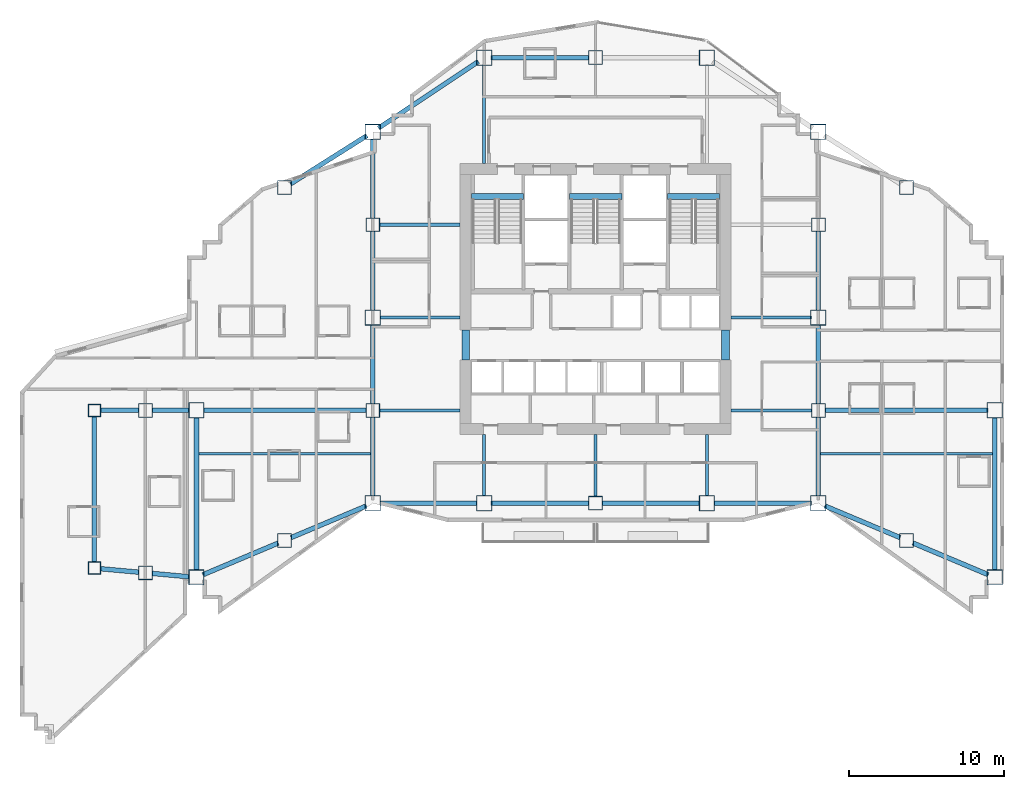
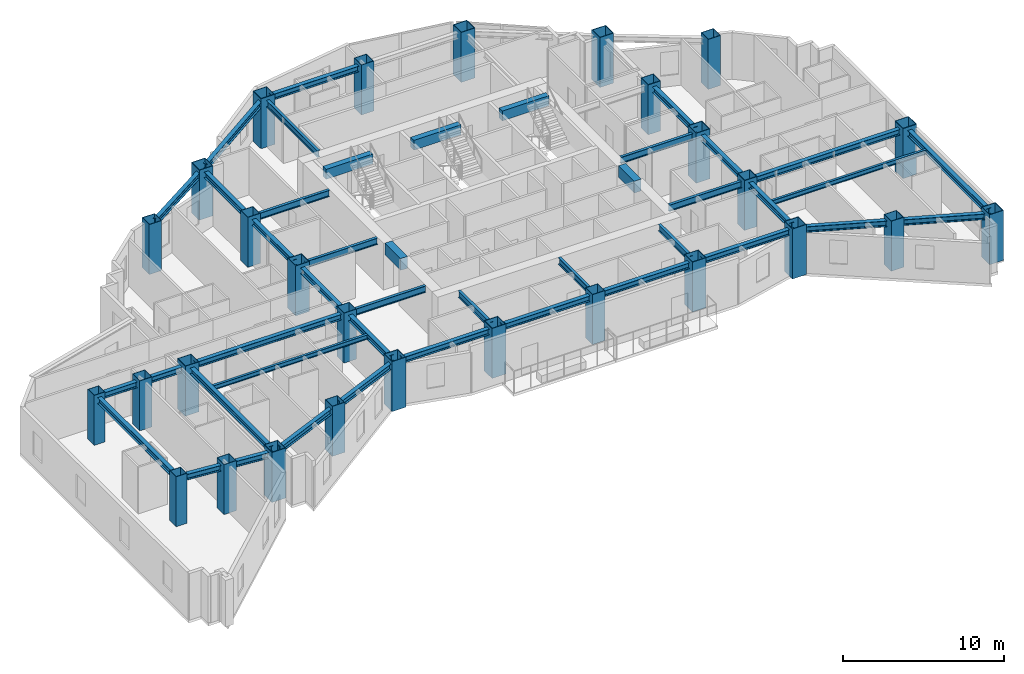
# One storey, part 1 of 15: 43 beams, 28 columns.
"""IFC4 building model written with IfcOpenShell, lengths in metres."""

from ifc_helpers import new_model, si_unit, direction, frame, origin, origin_2d, place, context, subcontext, project, spatial, rectangle, hollow_rectangle, i_section, extrude, material, material_profile, profile_set, type_object, element, save


model = new_model("IFC4")

# Units and contexts
model_context = context("Model", 3, precision=1e-05, world=origin(), true_north=direction((0.0, 1.0)))
body_context = subcontext(model_context, "Body", "Model", "MODEL_VIEW")
ifc_project = project(units=[si_unit("LENGTHUNIT", "METRE"), si_unit("AREAUNIT", "SQUARE_METRE"), si_unit("VOLUMEUNIT", "CUBIC_METRE"), si_unit("PLANEANGLEUNIT", "RADIAN"), si_unit("MASSUNIT", "GRAM", prefix="KILO")], contexts=[model_context])

# Site, building, storey
site_placement = place(None, origin())
site = spatial("IfcSite", under=ifc_project, at=site_placement, CompositionType="ELEMENT")
building_placement = place(site_placement, origin())
building = spatial("IfcBuilding", under=site, at=building_placement, Name="Haolan Belvedere Tower", CompositionType="ELEMENT")
storey_placement = place(building_placement, frame((0.0, 0.0, 156.199951171875)))
storey = spatial("IfcBuildingStorey", under=building, at=storey_placement, Name="L39", CompositionType="ELEMENT", Elevation=156.199951171875)

# Columns
ifc_material_1 = material(Name="Steel Q420GJC", Category="steel")
ifc_material_profile_1 = material_profile(ifc_material_1, hollow_rectangle(XDim=1.0, YDim=1.0, WallThickness=0.0380859375, at=origin_2d()), Name="Steel Q420GJC")
ifc_profile_set_1 = profile_set([ifc_material_profile_1], Name="Steel Q420GJC")
column_type_1 = type_object("IfcColumnType", Name="COL-BOX1000x1000x38", PredefinedType="COLUMN", material=ifc_profile_set_1)
for number, where, z_axis, x_axis, name in (
    (1, (24.0, 21.60009765625, 0.0), (0.0, 0.0, 1.0), (1.0, 0.0, 0.0), "L39 column MC-T3-SW (BOX1000x1000x38)"),
    (2, (24.0, 33.60009765625, 0.0), (0.0, 0.0, 1.0), (1.0, 0.0, 0.0), "L39 column MC-T3-MW (BOX1000x1000x38)"),
    (3, (24.0, 45.60009765625, 0.0), (0.0, 0.0, 1.0), (1.0, 0.0, 0.0), "L39 column MC-T3-NW (BOX1000x1000x38)"),
    (4, (52.800048828125, 21.60009765625, 0.0), (0.0, 0.0, 1.0), (1.0, 0.0, 0.0), "L39 column MC-T3-SE (BOX1000x1000x38)"),
    (5, (52.800048828125, 33.60009765625, 0.0), (0.0, 0.0, 1.0), (1.0, 0.0, 0.0), "L39 column MC-T3-ME (BOX1000x1000x38)"),
    (6, (52.800048828125, 45.60009765625, 0.0), (0.0, 0.0, 1.0), (1.0, 0.0, 0.0), "L39 column MC-T3-NE (BOX1000x1000x38)"),
    (7, (31.199951171875, 21.60009765625, 0.0), (0.0, 0.0, 1.0), (1.0, 0.0, 0.0), "L39 column MC-T3-S1 (BOX1000x1000x38)"),
    (8, (45.60009765625, 21.60009765625, 0.0), (0.0, 0.0, 1.0), (1.0, 0.0, 0.0), "L39 column MC-T3-S2 (BOX1000x1000x38)"),
    (9, (31.199951171875, 50.39990234375, 0.0), (0.0, 0.0, 1.0), (1.0, 0.0, 0.0), "L39 column MC-T3-N1 (BOX1000x1000x38)"),
    (10, (45.60009765625, 50.39990234375, 0.0), (0.0, 0.0, 1.0), (1.0, 0.0, 0.0), "L39 column MC-T3-N2 (BOX1000x1000x38)"),
    (11, (12.60009765625, 16.800048828125, 0.0), (0.0, 0.0, 1.0), (1.0, 0.0, 0.0), "L39 column MC-T2-SW (BOX1000x1000x38)"),
    (12, (12.60009765625, 27.60009765625, 0.0), (0.0, 0.0, 1.0), (1.0, 0.0, 0.0), "L39 column MC-T2-MW (BOX1000x1000x38)"),
    (13, (64.199951171875, 16.800048828125, 0.0), (0.0, 0.0, 1.0), (1.0, 0.0, 0.0), "L39 column MC-T4-SE (BOX1000x1000x38)"),
    (14, (64.199951171875, 27.60009765625, 0.0), (0.0, 0.0, 1.0), (1.0, 0.0, 0.0), "L39 column MC-T4-ME (BOX1000x1000x38)"),
):
    element("IfcColumn", number, at=place(storey_placement, frame(where, z_axis=z_axis, x_axis=x_axis)), inside=storey, type_object=column_type_1, Name=name, PredefinedType="COLUMN", context=body_context, shape_type="SweptSolid", body=[
        extrude(hollow_rectangle(XDim=1.0, YDim=1.0, WallThickness=0.0380859375, at=origin_2d()), origin(), (0.0, 0.0, 1.0), 3.800048828125),
    ])
ifc_material_2 = material(Name="Steel Q390GJC", Category="steel")
ifc_material_profile_2 = material_profile(ifc_material_2, hollow_rectangle(XDim=0.800048828125, YDim=0.800048828125, WallThickness=0.030029296875, at=origin_2d()), Name="Steel Q390GJC")
ifc_profile_set_2 = profile_set([ifc_material_profile_2], Name="Steel Q390GJC")
column_type_2 = type_object("IfcColumnType", Name="COL-BOX800x800x30", PredefinedType="COLUMN", material=ifc_profile_set_2)
for number, where, z_axis, x_axis, name in (
    (15, (6.0, 17.39990234375, 0.0), (0.0, 0.0, 1.0), (1.0, 0.0, 0.0), "L39 column MC-T1-SW (BOX800x800x30)"),
    (16, (6.0, 27.60009765625, 0.0), (0.0, 0.0, 1.0), (1.0, 0.0, 0.0), "L39 column MC-T1-NW (BOX800x800x30)"),
):
    element("IfcColumn", number, at=place(storey_placement, frame(where, z_axis=z_axis, x_axis=x_axis)), inside=storey, type_object=column_type_2, Name=name, PredefinedType="COLUMN", context=body_context, shape_type="SweptSolid", body=[
        extrude(hollow_rectangle(XDim=0.800048828125, YDim=0.800048828125, WallThickness=0.030029296875, at=origin_2d()), origin(), (0.0, 0.0, 1.0), 3.800048828125),
    ])
ifc_material_profile_3 = material_profile(ifc_material_2, hollow_rectangle(XDim=0.89990234375, YDim=0.89990234375, WallThickness=0.033935546875, at=origin_2d()), Name="Steel Q390GJC")
ifc_profile_set_3 = profile_set([ifc_material_profile_3], Name="Steel Q390GJC")
column_type_3 = type_object("IfcColumnType", Name="COL-BOX900x900x34", PredefinedType="COLUMN", material=ifc_profile_set_3)
for number, where, z_axis, x_axis, name in (
    (17, (24.0, 27.60009765625, 0.0), (0.0, 0.0, 1.0), (1.0, 0.0, 0.0), "L39 column TC-T3-W1 (BOX900x900x34)"),
    (18, (24.0, 39.60009765625, 0.0), (0.0, 0.0, 1.0), (1.0, 0.0, 0.0), "L39 column TC-T3-W2 (BOX900x900x34)"),
    (19, (52.800048828125, 27.60009765625, 0.0), (0.0, 0.0, 1.0), (1.0, 0.0, 0.0), "L39 column TC-T3-E1 (BOX900x900x34)"),
    (20, (52.800048828125, 39.60009765625, 0.0), (0.0, 0.0, 1.0), (1.0, 0.0, 0.0), "L39 column TC-T3-E2 (BOX900x900x34)"),
    (21, (38.39990234375, 21.60009765625, 0.0), (0.0, 0.0, 1.0), (1.0, 0.0, 0.0), "L39 column TC-T3-SM (BOX900x900x34)"),
    (22, (38.39990234375, 50.39990234375, 0.0), (0.0, 0.0, 1.0), (1.0, 0.0, 0.0), "L39 column TC-T3-NM (BOX900x900x34)"),
    (23, (18.300048828125, 19.199951171875, 0.0), (0.0, 0.0, 1.0), (1.0, 0.0, 0.0), "L39 column TC-T2-S1 (BOX900x900x34)"),
    (24, (18.300048828125, 42.0, 0.0), (0.0, 0.0, 1.0), (1.0, 0.0, 0.0), "L39 column TC-T2-N1 (BOX900x900x34)"),
    (25, (58.5, 19.199951171875, 0.0), (0.0, 0.0, 1.0), (1.0, 0.0, 0.0), "L39 column TC-T4-S1 (BOX900x900x34)"),
    (26, (58.5, 42.0, 0.0), (0.0, 0.0, 1.0), (1.0, 0.0, 0.0), "L39 column TC-T4-N1 (BOX900x900x34)"),
    (27, (9.300048828125, 17.10009765625, 0.0), (0.0, 0.0, 1.0), (1.0, 0.0, 0.0), "L39 column TC-T1-M1 (BOX900x900x34)"),
    (28, (9.300048828125, 27.60009765625, 0.0), (0.0, 0.0, 1.0), (1.0, 0.0, 0.0), "L39 column TC-T1-M2 (BOX900x900x34)"),
):
    element("IfcColumn", number, at=place(storey_placement, frame(where, z_axis=z_axis, x_axis=x_axis)), inside=storey, type_object=column_type_3, Name=name, PredefinedType="COLUMN", context=body_context, shape_type="SweptSolid", body=[
        extrude(hollow_rectangle(XDim=0.89990234375, YDim=0.89990234375, WallThickness=0.033935546875, at=origin_2d()), origin(), (0.0, 0.0, 1.0), 3.800048828125),
    ])

# Beams
ifc_material_3 = material(Name="Steel Q355B", Category="steel")
ifc_material_profile_4 = material_profile(ifc_material_3, i_section(OverallWidth=0.300048828125, OverallDepth=0.43994140625, WebThickness=0.010986328125, FlangeThickness=0.01806640625, FilletRadius=0.02392578125, at=origin_2d()), Name="Steel Q355B")
ifc_profile_set_4 = profile_set([ifc_material_profile_4], Name="Steel Q355B")
beam_type_1 = type_object("IfcBeamType", Name="BM-HM440x300x11x18", PredefinedType="SPANDREL", material=ifc_profile_set_4)
for number, where, z_axis, x_axis, name in (
    (29, (24.0, 22.050048828125, 3.320068359375), (0.0, 1.0, 0.0), (-1.0, 0.0, 0.0), "L39 spandrel girder MC-T3-SW-TC-T3-W1"),
    (30, (24.0, 28.050048828125, 3.320068359375), (0.0, 1.0, 0.0), (-1.0, 0.0, 0.0), "L39 spandrel girder TC-T3-W1-MC-T3-MW"),
    (31, (24.0, 34.050048828125, 3.320068359375), (0.0, 1.0, 0.0), (-1.0, 0.0, 0.0), "L39 spandrel girder MC-T3-MW-TC-T3-W2"),
    (32, (24.0, 40.050048828125, 3.320068359375), (0.0, 1.0, 0.0), (-1.0, 0.0, 0.0), "L39 spandrel girder TC-T3-W2-MC-T3-NW"),
    (33, (52.800048828125, 22.050048828125, 3.320068359375), (0.0, 1.0, 0.0), (-1.0, 0.0, 0.0), "L39 spandrel girder MC-T3-SE-TC-T3-E1"),
    (34, (52.800048828125, 28.050048828125, 3.320068359375), (0.0, 1.0, 0.0), (-1.0, 0.0, 0.0), "L39 spandrel girder TC-T3-E1-MC-T3-ME"),
    (35, (52.800048828125, 34.050048828125, 3.320068359375), (0.0, 1.0, 0.0), (-1.0, 0.0, 0.0), "L39 spandrel girder MC-T3-ME-TC-T3-E2"),
):
    element("IfcBeam", number, at=place(storey_placement, frame(where, z_axis=z_axis, x_axis=x_axis)), inside=storey, type_object=beam_type_1, Name=name, PredefinedType="SPANDREL", context=body_context, shape_type="SweptSolid", body=[
        extrude(i_section(OverallWidth=0.300048828125, OverallDepth=0.43994140625, WebThickness=0.010986328125, FlangeThickness=0.01806640625, FilletRadius=0.02392578125, at=origin_2d()), origin(), (0.0, 0.0, 1.0), 5.099853515625),
    ])
for number, where, z_axis, x_axis, name in (
    (36, (24.449951171875, 21.60009765625, 3.320068359375), (1.0, 0.0, 0.0), (0.0, 1.0, 0.0), "L39 spandrel girder MC-T3-SW-MC-T3-S1"),
    (37, (31.64990234375, 21.60009765625, 3.320068359375), (1.0, 0.0, 0.0), (0.0, 1.0, 0.0), "L39 spandrel girder MC-T3-S1-TC-T3-SM"),
):
    element("IfcBeam", number, at=place(storey_placement, frame(where, z_axis=z_axis, x_axis=x_axis)), inside=storey, type_object=beam_type_1, Name=name, PredefinedType="SPANDREL", context=body_context, shape_type="SweptSolid", body=[
        extrude(i_section(OverallWidth=0.300048828125, OverallDepth=0.43994140625, WebThickness=0.010986328125, FlangeThickness=0.01806640625, FilletRadius=0.02392578125, at=origin_2d()), origin(), (0.0, 0.0, 1.0), 6.300048828125),
    ])
beam_1_placement = place(storey_placement, frame((38.85009765625, 21.60009765625, 3.320068359375), z_axis=(1.0, 0.0, 0.0), x_axis=(0.0, 1.0, 0.0)))
element("IfcBeam", 38, at=beam_1_placement, inside=storey, type_object=beam_type_1, Name="L39 spandrel girder TC-T3-SM-MC-T3-S2", PredefinedType="SPANDREL", context=body_context, shape_type="SweptSolid", body=[
    extrude(i_section(OverallWidth=0.300048828125, OverallDepth=0.43994140625, WebThickness=0.010986328125, FlangeThickness=0.01806640625, FilletRadius=0.02392578125, at=origin_2d()), origin(), (0.0, 0.0, 1.0), 6.2998046875),
])
beam_2_placement = place(storey_placement, frame((46.050048828125, 21.60009765625, 3.320068359375), z_axis=(1.0, 0.0, 0.0), x_axis=(0.0, 1.0, 0.0)))
element("IfcBeam", 39, at=beam_2_placement, inside=storey, type_object=beam_type_1, Name="L39 spandrel girder MC-T3-S2-MC-T3-SE", PredefinedType="SPANDREL", context=body_context, shape_type="SweptSolid", body=[
    extrude(i_section(OverallWidth=0.300048828125, OverallDepth=0.43994140625, WebThickness=0.010986328125, FlangeThickness=0.01806640625, FilletRadius=0.02392578125, at=origin_2d()), origin(), (0.0, 0.0, 1.0), 6.300048828125),
])
beam_3_placement = place(storey_placement, frame((24.37451171875, 45.849609375, 3.320068359375), z_axis=(0.832050294338, 0.554700196225, 0.0), x_axis=(-0.554700196225, 0.832050294338, 0.0)))
element("IfcBeam", 40, at=beam_3_placement, inside=storey, type_object=beam_type_1, Name="L39 spandrel girder MC-T3-NW-MC-T3-N1", PredefinedType="SPANDREL", context=body_context, shape_type="SweptSolid", body=[
    extrude(i_section(OverallWidth=0.300048828125, OverallDepth=0.43994140625, WebThickness=0.010986328125, FlangeThickness=0.01806640625, FilletRadius=0.02392578125, at=origin_2d()), origin(), (0.0, 0.0, 1.0), 7.75341796875),
])
beam_4_placement = place(storey_placement, frame((31.64990234375, 50.39990234375, 3.320068359375), z_axis=(1.0, 0.0, 0.0), x_axis=(0.0, 1.0, 0.0)))
element("IfcBeam", 41, at=beam_4_placement, inside=storey, type_object=beam_type_1, Name="L39 spandrel girder MC-T3-N1-TC-T3-NM", PredefinedType="SPANDREL", context=body_context, shape_type="SweptSolid", body=[
    extrude(i_section(OverallWidth=0.300048828125, OverallDepth=0.43994140625, WebThickness=0.010986328125, FlangeThickness=0.01806640625, FilletRadius=0.02392578125, at=origin_2d()), origin(), (0.0, 0.0, 1.0), 6.300048828125),
])
beam_5_placement = place(storey_placement, frame((12.60009765625, 17.25, 3.320068359375), z_axis=(0.0, 1.0, 0.0), x_axis=(-1.0, 0.0, 0.0)))
element("IfcBeam", 42, at=beam_5_placement, inside=storey, type_object=beam_type_1, Name="L39 spandrel girder MC-T2-SW-MC-T2-MW", PredefinedType="SPANDREL", context=body_context, shape_type="SweptSolid", body=[
    extrude(i_section(OverallWidth=0.300048828125, OverallDepth=0.43994140625, WebThickness=0.010986328125, FlangeThickness=0.01806640625, FilletRadius=0.02392578125, at=origin_2d()), origin(), (0.0, 0.0, 1.0), 9.89990234375),
])
beam_6_placement = place(storey_placement, frame((13.0146484375, 16.974609375, 3.320068359375), z_axis=(0.921635375138, 0.388057000058, 0.0), x_axis=(-0.388057000058, 0.921635375138, 0.0)))
element("IfcBeam", 43, at=beam_6_placement, inside=storey, type_object=beam_type_1, Name="L39 spandrel girder MC-T2-SW-TC-T2-S1", PredefinedType="SPANDREL", context=body_context, shape_type="SweptSolid", body=[
    extrude(i_section(OverallWidth=0.300048828125, OverallDepth=0.43994140625, WebThickness=0.010986328125, FlangeThickness=0.01806640625, FilletRadius=0.02392578125, at=origin_2d()), origin(), (0.0, 0.0, 1.0), 5.28466796875),
])
beam_7_placement = place(storey_placement, frame((18.71484375, 19.37451171875, 3.320068359375), z_axis=(0.92162841793, 0.388073523014, 0.0), x_axis=(-0.388073523014, 0.92162841793, 0.0)))
element("IfcBeam", 44, at=beam_7_placement, inside=storey, type_object=beam_type_1, Name="L39 spandrel girder TC-T2-S1-MC-T3-SW", PredefinedType="SPANDREL", context=body_context, shape_type="SweptSolid", body=[
    extrude(i_section(OverallWidth=0.300048828125, OverallDepth=0.43994140625, WebThickness=0.010986328125, FlangeThickness=0.01806640625, FilletRadius=0.02392578125, at=origin_2d()), origin(), (0.0, 0.0, 1.0), 5.284423828125),
])
beam_8_placement = place(storey_placement, frame((18.680419921875, 42.240234375, 3.320068359375), z_axis=(0.845497840649, 0.533978839898, 0.0), x_axis=(-0.533978839898, 0.845497840649, 0.0)))
element("IfcBeam", 45, at=beam_8_placement, inside=storey, type_object=beam_type_1, Name="L39 spandrel girder TC-T2-N1-MC-T3-NW", PredefinedType="SPANDREL", context=body_context, shape_type="SweptSolid", body=[
    extrude(i_section(OverallWidth=0.300048828125, OverallDepth=0.43994140625, WebThickness=0.010986328125, FlangeThickness=0.01806640625, FilletRadius=0.02392578125, at=origin_2d()), origin(), (0.0, 0.0, 1.0), 5.841796875),
])
beam_9_placement = place(storey_placement, frame((13.050048828125, 27.60009765625, 3.320068359375), z_axis=(1.0, 0.0, 0.0), x_axis=(0.0, 1.0, 0.0)))
element("IfcBeam", 46, at=beam_9_placement, inside=storey, type_object=beam_type_1, Name="L39 spandrel girder MC-T2-MW-TC-T3-W1", PredefinedType="SPANDREL", context=body_context, shape_type="SweptSolid", body=[
    extrude(i_section(OverallWidth=0.300048828125, OverallDepth=0.43994140625, WebThickness=0.010986328125, FlangeThickness=0.01806640625, FilletRadius=0.02392578125, at=origin_2d()), origin(), (0.0, 0.0, 1.0), 10.5),
])
beam_10_placement = place(storey_placement, frame((64.199951171875, 17.25, 3.320068359375), z_axis=(0.0, 1.0, 0.0), x_axis=(-1.0, 0.0, 0.0)))
element("IfcBeam", 47, at=beam_10_placement, inside=storey, type_object=beam_type_1, Name="L39 spandrel girder MC-T4-SE-MC-T4-ME", PredefinedType="SPANDREL", context=body_context, shape_type="SweptSolid", body=[
    extrude(i_section(OverallWidth=0.300048828125, OverallDepth=0.43994140625, WebThickness=0.010986328125, FlangeThickness=0.01806640625, FilletRadius=0.02392578125, at=origin_2d()), origin(), (0.0, 0.0, 1.0), 9.89990234375),
])
for number, where, z_axis, x_axis, name in (
    (48, (53.21484375, 21.42529296875, 3.320068359375), (0.92162841793, -0.388073523014, 0.0), (0.388073523014, 0.92162841793, 0.0), "L39 spandrel girder MC-T3-SE-TC-T4-S1"),
    (49, (58.914794921875, 19.025390625, 3.320068359375), (0.92162841793, -0.388073523014, 0.0), (0.388073523014, 0.92162841793, 0.0), "L39 spandrel girder TC-T4-S1-MC-T4-SE"),
):
    element("IfcBeam", number, at=place(storey_placement, frame(where, z_axis=z_axis, x_axis=x_axis)), inside=storey, type_object=beam_type_1, Name=name, PredefinedType="SPANDREL", context=body_context, shape_type="SweptSolid", body=[
        extrude(i_section(OverallWidth=0.300048828125, OverallDepth=0.43994140625, WebThickness=0.010986328125, FlangeThickness=0.01806640625, FilletRadius=0.02392578125, at=origin_2d()), origin(), (0.0, 0.0, 1.0), 5.284423828125),
    ])
beam_11_placement = place(storey_placement, frame((53.25, 27.60009765625, 3.320068359375), z_axis=(1.0, 0.0, 0.0), x_axis=(0.0, 1.0, 0.0)))
element("IfcBeam", 50, at=beam_11_placement, inside=storey, type_object=beam_type_1, Name="L39 spandrel girder TC-T3-E1-MC-T4-ME", PredefinedType="SPANDREL", context=body_context, shape_type="SweptSolid", body=[
    extrude(i_section(OverallWidth=0.300048828125, OverallDepth=0.43994140625, WebThickness=0.010986328125, FlangeThickness=0.01806640625, FilletRadius=0.02392578125, at=origin_2d()), origin(), (0.0, 0.0, 1.0), 10.5),
])
beam_12_placement = place(storey_placement, frame((6.0, 17.800048828125, 3.320068359375), z_axis=(0.0, 1.0, 0.0), x_axis=(-1.0, 0.0, 0.0)))
element("IfcBeam", 51, at=beam_12_placement, inside=storey, type_object=beam_type_1, Name="L39 spandrel girder MC-T1-SW-MC-T1-NW", PredefinedType="SPANDREL", context=body_context, shape_type="SweptSolid", body=[
    extrude(i_section(OverallWidth=0.300048828125, OverallDepth=0.43994140625, WebThickness=0.010986328125, FlangeThickness=0.01806640625, FilletRadius=0.02392578125, at=origin_2d()), origin(), (0.0, 0.0, 1.0), 9.39990234375),
])
beam_13_placement = place(storey_placement, frame((6.3984375, 17.36376953125, 3.320068359375), z_axis=(0.995889143855, -0.090580423672, 0.0), x_axis=(0.090580423672, 0.995889143855, 0.0)))
element("IfcBeam", 52, at=beam_13_placement, inside=storey, type_object=beam_type_1, Name="L39 spandrel girder MC-T1-SW-TC-T1-M1", PredefinedType="SPANDREL", context=body_context, shape_type="SweptSolid", body=[
    extrude(i_section(OverallWidth=0.300048828125, OverallDepth=0.43994140625, WebThickness=0.010986328125, FlangeThickness=0.01806640625, FilletRadius=0.02392578125, at=origin_2d()), origin(), (0.0, 0.0, 1.0), 2.46337890625),
])
beam_14_placement = place(storey_placement, frame((9.748046875, 17.059326171875, 3.320068359375), z_axis=(0.9958940355, -0.090526626221, 0.0), x_axis=(0.090526626221, 0.9958940355, 0.0)))
element("IfcBeam", 53, at=beam_14_placement, inside=storey, type_object=beam_type_1, Name="L39 spandrel girder TC-T1-M1-MC-T2-SW", PredefinedType="SPANDREL", context=body_context, shape_type="SweptSolid", body=[
    extrude(i_section(OverallWidth=0.300048828125, OverallDepth=0.43994140625, WebThickness=0.010986328125, FlangeThickness=0.01806640625, FilletRadius=0.02392578125, at=origin_2d()), origin(), (0.0, 0.0, 1.0), 2.413818359375),
])
beam_15_placement = place(storey_placement, frame((6.39990234375, 27.60009765625, 3.320068359375), z_axis=(1.0, 0.0, 0.0), x_axis=(0.0, 1.0, 0.0)))
element("IfcBeam", 54, at=beam_15_placement, inside=storey, type_object=beam_type_1, Name="L39 spandrel girder MC-T1-NW-TC-T1-M2", PredefinedType="SPANDREL", context=body_context, shape_type="SweptSolid", body=[
    extrude(i_section(OverallWidth=0.300048828125, OverallDepth=0.43994140625, WebThickness=0.010986328125, FlangeThickness=0.01806640625, FilletRadius=0.02392578125, at=origin_2d()), origin(), (0.0, 0.0, 1.0), 2.4501953125),
])
beam_16_placement = place(storey_placement, frame((9.75, 27.60009765625, 3.320068359375), z_axis=(1.0, 0.0, 0.0), x_axis=(0.0, 1.0, 0.0)))
element("IfcBeam", 55, at=beam_16_placement, inside=storey, type_object=beam_type_1, Name="L39 spandrel girder TC-T1-M2-MC-T2-MW", PredefinedType="SPANDREL", context=body_context, shape_type="SweptSolid", body=[
    extrude(i_section(OverallWidth=0.300048828125, OverallDepth=0.43994140625, WebThickness=0.010986328125, FlangeThickness=0.01806640625, FilletRadius=0.02392578125, at=origin_2d()), origin(), (0.0, 0.0, 1.0), 2.39990234375),
])
ifc_material_profile_5 = material_profile(ifc_material_3, i_section(OverallWidth=0.175048828125, OverallDepth=0.35009765625, WebThickness=0.007080078125, FlangeThickness=0.010986328125, FilletRadius=0.012939453125, at=origin_2d()), Name="Steel Q355B")
ifc_profile_set_5 = profile_set([ifc_material_profile_5], Name="Steel Q355B")
beam_type_2 = type_object("IfcBeamType", Name="BM-HN350x175x7x11", PredefinedType="JOIST", material=ifc_profile_set_5)
for number, where, z_axis, x_axis, name in (
    (56, (12.75, 24.800048828125, 3.364990234375), (1.0, 0.0, 0.0), (0.0, 1.0, 0.0), "L39 west wing floor joist 1"),
    (57, (52.949951171875, 24.800048828125, 3.364990234375), (1.0, 0.0, 0.0), (0.0, 1.0, 0.0), "L39 east wing floor joist 1"),
):
    element("IfcBeam", number, at=place(storey_placement, frame(where, z_axis=z_axis, x_axis=x_axis)), inside=storey, type_object=beam_type_2, Name=name, PredefinedType="JOIST", context=body_context, shape_type="SweptSolid", body=[
        extrude(i_section(OverallWidth=0.175048828125, OverallDepth=0.35009765625, WebThickness=0.007080078125, FlangeThickness=0.010986328125, FilletRadius=0.012939453125, at=origin_2d()), origin(), (0.0, 0.0, 1.0), 11.10009765625),
    ])
ifc_material_profile_6 = material_profile(ifc_material_3, i_section(OverallWidth=0.199951171875, OverallDepth=0.5, WebThickness=0.010009765625, FlangeThickness=0.01611328125, FilletRadius=0.02001953125, at=origin_2d()), Name="Steel Q355B")
ifc_profile_set_6 = profile_set([ifc_material_profile_6], Name="Steel Q355B")
beam_type_3 = type_object("IfcBeamType", Name="BM-HN500x200x10x16", PredefinedType="BEAM", material=ifc_profile_set_6)
for number, where, z_axis, x_axis, name in (
    (58, (24.449951171875, 33.60009765625, 3.2900390625), (1.0, 0.0, 0.0), (0.0, 1.0, 0.0), "L39 core tie beam from MC-T3-MW"),
    (59, (24.449951171875, 27.60009765625, 3.2900390625), (1.0, 0.0, 0.0), (0.0, 1.0, 0.0), "L39 core tie beam from TC-T3-W1"),
    (60, (24.449951171875, 39.60009765625, 3.2900390625), (1.0, 0.0, 0.0), (0.0, 1.0, 0.0), "L39 core tie beam from TC-T3-W2"),
):
    element("IfcBeam", number, at=place(storey_placement, frame(where, z_axis=z_axis, x_axis=x_axis)), inside=storey, type_object=beam_type_3, Name=name, PredefinedType="BEAM", context=body_context, shape_type="SweptSolid", body=[
        extrude(i_section(OverallWidth=0.199951171875, OverallDepth=0.5, WebThickness=0.010009765625, FlangeThickness=0.01611328125, FilletRadius=0.02001953125, at=origin_2d()), origin(), (0.0, 0.0, 1.0), 5.199951171875),
    ])
for number, where, z_axis, x_axis, name in (
    (61, (52.35009765625, 33.60009765625, 3.2900390625), (-1.0, 0.0, 0.0), (0.0, -1.0, 0.0), "L39 core tie beam from MC-T3-ME"),
    (62, (52.35009765625, 27.60009765625, 3.2900390625), (-1.0, 0.0, 0.0), (0.0, -1.0, 0.0), "L39 core tie beam from TC-T3-E1"),
):
    element("IfcBeam", number, at=place(storey_placement, frame(where, z_axis=z_axis, x_axis=x_axis)), inside=storey, type_object=beam_type_3, Name=name, PredefinedType="BEAM", context=body_context, shape_type="SweptSolid", body=[
        extrude(i_section(OverallWidth=0.199951171875, OverallDepth=0.5, WebThickness=0.010009765625, FlangeThickness=0.01611328125, FilletRadius=0.02001953125, at=origin_2d()), origin(), (0.0, 0.0, 1.0), 5.2001953125),
    ])
for number, where, z_axis, x_axis, name in (
    (63, (31.199951171875, 22.050048828125, 3.2900390625), (0.0, 1.0, 0.0), (-1.0, 0.0, 0.0), "L39 core tie beam from MC-T3-S1"),
    (64, (38.39990234375, 22.050048828125, 3.2900390625), (0.0, 1.0, 0.0), (-1.0, 0.0, 0.0), "L39 core tie beam from TC-T3-SM"),
    (65, (45.60009765625, 22.050048828125, 3.2900390625), (0.0, 1.0, 0.0), (-1.0, 0.0, 0.0), "L39 core tie beam from MC-T3-S2"),
):
    element("IfcBeam", number, at=place(storey_placement, frame(where, z_axis=z_axis, x_axis=x_axis)), inside=storey, type_object=beam_type_3, Name=name, PredefinedType="BEAM", context=body_context, shape_type="SweptSolid", body=[
        extrude(i_section(OverallWidth=0.199951171875, OverallDepth=0.5, WebThickness=0.010009765625, FlangeThickness=0.01611328125, FilletRadius=0.02001953125, at=origin_2d()), origin(), (0.0, 0.0, 1.0), 4.0),
    ])
beam_17_placement = place(storey_placement, frame((31.199951171875, 49.949951171875, 3.2900390625), z_axis=(0.0, -1.0, 0.0), x_axis=(1.0, 0.0, 0.0)))
element("IfcBeam", 66, at=beam_17_placement, inside=storey, type_object=beam_type_3, Name="L39 core tie beam from MC-T3-N1", PredefinedType="BEAM", context=body_context, shape_type="SweptSolid", body=[
    extrude(i_section(OverallWidth=0.199951171875, OverallDepth=0.5, WebThickness=0.010009765625, FlangeThickness=0.01611328125, FilletRadius=0.02001953125, at=origin_2d()), origin(), (0.0, 0.0, 1.0), 6.39990234375),
])
ifc_material_4 = material(Name="Concrete C50/60", Category="concrete")
ifc_material_profile_7 = material_profile(ifc_material_4, rectangle(XDim=0.39990234375, YDim=0.75, at=origin_2d()), Name="Concrete C50/60")
ifc_profile_set_7 = profile_set([ifc_material_profile_7], Name="Concrete C50/60")
beam_type_4 = type_object("IfcBeamType", Name="BM-RC400x750", PredefinedType="T_BEAM", material=ifc_profile_set_7)
beam_18_placement = place(storey_placement, frame((30.3798828125, 41.429931640625, 3.425048828125), z_axis=(1.0, 0.0, 0.0), x_axis=(0.0, 1.0, 0.0)))
element("IfcBeam", 67, at=beam_18_placement, inside=storey, type_object=beam_type_4, Name="L40 stair ST1 RC header trimmer beam", PredefinedType="BEAM", context=body_context, shape_type="SweptSolid", body=[
    extrude(rectangle(XDim=0.39990234375, YDim=0.75, at=origin_2d()), origin(), (0.0, 0.0, 1.0), 3.360107421875),
])
beam_19_placement = place(storey_placement, frame((36.699951171875, 41.429931640625, 3.425048828125), z_axis=(1.0, 0.0, 0.0), x_axis=(0.0, 1.0, 0.0)))
element("IfcBeam", 68, at=beam_19_placement, inside=storey, type_object=beam_type_4, Name="L40 stair ST3 RC header trimmer beam", PredefinedType="BEAM", context=body_context, shape_type="SweptSolid", body=[
    extrude(rectangle(XDim=0.39990234375, YDim=0.75, at=origin_2d()), origin(), (0.0, 0.0, 1.0), 3.400146484375),
])
beam_20_placement = place(storey_placement, frame((43.06005859375, 41.429931640625, 3.425048828125), z_axis=(1.0, 0.0, 0.0), x_axis=(0.0, 1.0, 0.0)))
element("IfcBeam", 69, at=beam_20_placement, inside=storey, type_object=beam_type_4, Name="L40 stair ST2 RC header trimmer beam", PredefinedType="BEAM", context=body_context, shape_type="SweptSolid", body=[
    extrude(rectangle(XDim=0.39990234375, YDim=0.75, at=origin_2d()), origin(), (0.0, 0.0, 1.0), 3.35986328125),
])
ifc_material_5 = material(Name="Concrete C60/75", Category="concrete")
ifc_material_profile_8 = material_profile(ifc_material_5, rectangle(XDim=0.5, YDim=0.89990234375, at=origin_2d()), Name="Concrete C60/75")
ifc_profile_set_8 = profile_set([ifc_material_profile_8], Name="Concrete C60/75")
beam_type_5 = type_object("IfcBeamType", Name="BM-RC500x900", PredefinedType="LINTEL", material=ifc_profile_set_8)
for number, where, z_axis, x_axis, name in (
    (70, (30.0, 30.85009765625, 3.090087890625), (0.0, 1.0, 0.0), (-1.0, 0.0, 0.0), "L39 west core coupling beam CB-01"),
    (71, (46.800048828125, 30.85009765625, 3.090087890625), (0.0, 1.0, 0.0), (-1.0, 0.0, 0.0), "L39 east core coupling beam CB-01"),
):
    element("IfcBeam", number, at=place(storey_placement, frame(where, z_axis=z_axis, x_axis=x_axis)), inside=storey, type_object=beam_type_5, Name=name, PredefinedType="LINTEL", context=body_context, shape_type="SweptSolid", body=[
        extrude(rectangle(XDim=0.5, YDim=0.89990234375, at=origin_2d()), origin(), (0.0, 0.0, 1.0), 1.949951171875),
    ])

save(model, "model.ifc")
